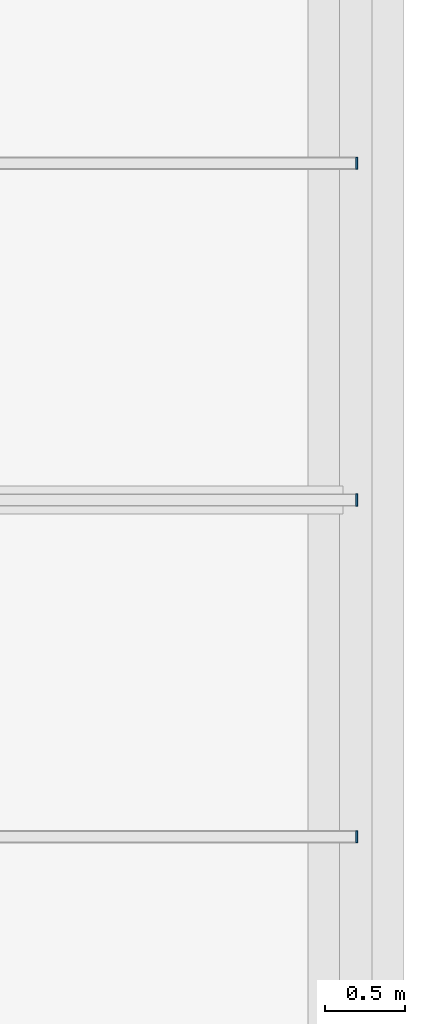
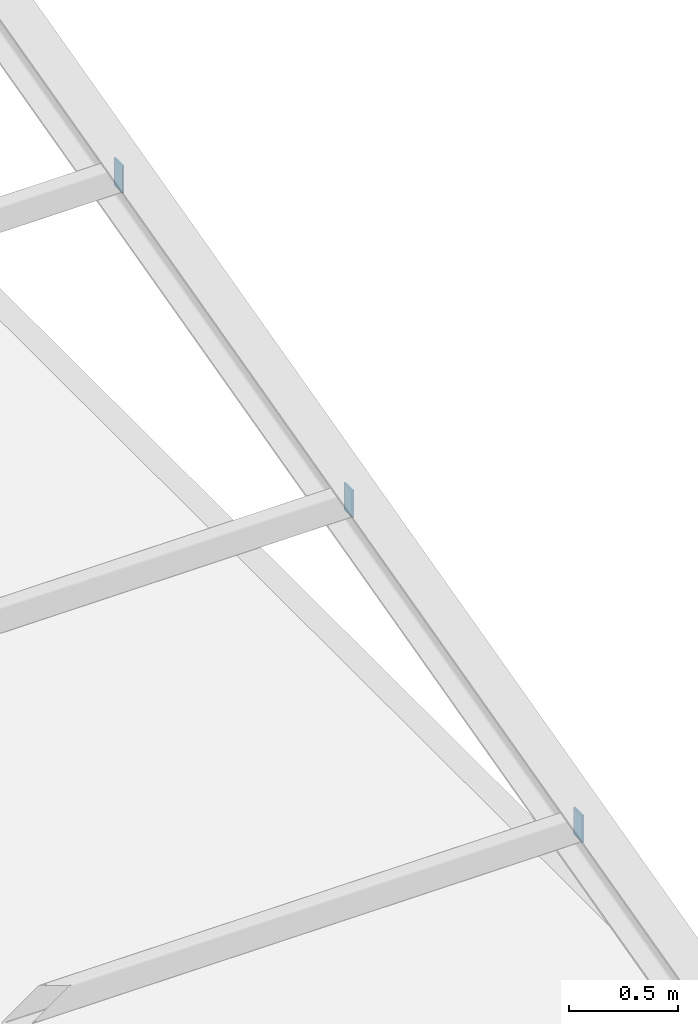
# One storey, part 12 of 17: 3 plates.
"""IFC4 building model written with IfcOpenShell, lengths in metres."""

from ifc_helpers import new_model, si_unit, derived_unit, direction, frame, origin, origin_2d, place, context, subcontext, project, spatial, rectangle, extrude, material, layer, layer_set, type_object, element, save


model = new_model("IFC4")

# Units and contexts
model_context = context("Model", 3, precision=1e-05, world=origin(), true_north=direction((0.0, 1.0)))
body_context = subcontext(model_context, "Body", "Model", "MODEL_VIEW")
ifc_project = project(units=[si_unit("LENGTHUNIT", "METRE"), si_unit("AREAUNIT", "SQUARE_METRE"), si_unit("VOLUMEUNIT", "CUBIC_METRE"), si_unit("PLANEANGLEUNIT", "RADIAN"), si_unit("MASSUNIT", "GRAM", prefix="KILO"), derived_unit("THERMALTRANSMITTANCEUNIT", [(si_unit("POWERUNIT", "WATT"), 1), (si_unit("LENGTHUNIT", "METRE"), -2), (si_unit("THERMODYNAMICTEMPERATUREUNIT", "KELVIN"), -1)])], contexts=[model_context])

# Site, building, storey
site_placement = place(None, origin())
site = spatial("IfcSite", under=ifc_project, at=site_placement, CompositionType="ELEMENT")
building_placement = place(site_placement, origin())
building = spatial("IfcBuilding", under=site, at=building_placement, Name="Barrovel Congress Hotel", CompositionType="ELEMENT")
storey_placement = place(building_placement, frame((0.0, 0.0, 47.10009765625)))
storey = spatial("IfcBuildingStorey", under=building, at=storey_placement, Name="RF", CompositionType="ELEMENT", Elevation=47.10009765625)

# Plates
ifc_material = material(Name="Steel ASTM A992 Grade 50", Category="steel")
ifc_layer = layer(ifc_material, 0.010009765625)
ifc_layer_set = layer_set([ifc_layer], Name="Steel ASTM A992 Grade 50")
plate_type = type_object("IfcPlateType", Name="EC-10", PredefinedType="SHEET", material=ifc_layer_set)
for number, where, z_axis, x_axis, name in (
    (1, (109.205078125, 6.300048828125, 0.3115234375), (0.0, 0.0, 1.0), (1.0, 0.0, 0.0), "End Cap Plate RF-PUR:6.3:100.8 end"),
    (2, (109.205078125, 8.39990234375, 0.84912109375), (0.0, 0.0, 1.0), (1.0, 0.0, 0.0), "End Cap Plate RF-PUR:8.4:100.8 end"),
    (3, (109.205078125, 10.5, 1.38671875), (0.0, 0.0, 1.0), (1.0, 0.0, 0.0), "End Cap Plate RF-PUR:10.5:100.8 end"),
):
    element("IfcPlate", number, at=place(storey_placement, frame(where, z_axis=z_axis, x_axis=x_axis)), inside=storey, type_object=plate_type, Name=name, PredefinedType="SHEET", context=body_context, shape_type="SweptSolid", body=[
        extrude(rectangle(XDim=0.010009765625, YDim=0.076171875, at=origin_2d()), origin(), (0.0, 0.0, 1.0), 0.15234375),
    ])

save(model, "model.ifc")
